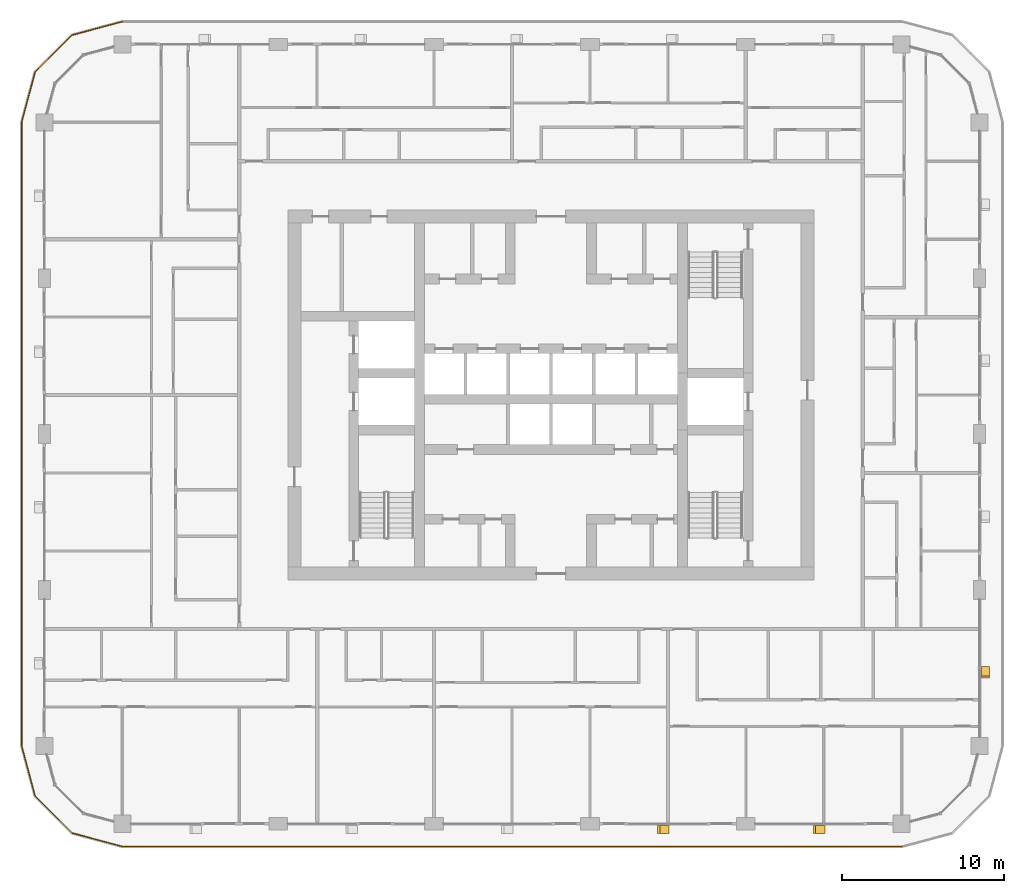
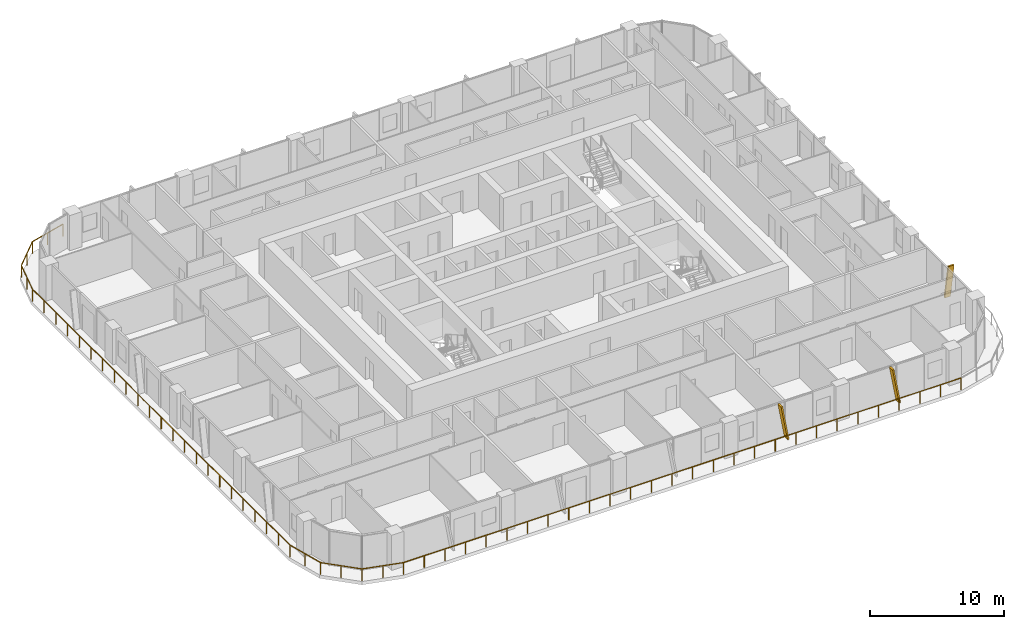
# One storey, part 19 of 22: 3 shading devices, 1 railing.
"""IFC4 building model written with IfcOpenShell, lengths in metres."""

from ifc_helpers import new_model, si_unit, direction, frame, origin, origin_2d, place, context, subcontext, project, spatial, polyline, circle, outline, extrude, material, type_object, element, save


model = new_model("IFC4")

# Units and contexts
model_context = context("Model", 3, precision=1e-05, world=origin(), true_north=direction((0.0, 1.0)))
body_context = subcontext(model_context, "Body", "Model", "MODEL_VIEW")
ifc_project = project(units=[si_unit("LENGTHUNIT", "METRE"), si_unit("AREAUNIT", "SQUARE_METRE"), si_unit("VOLUMEUNIT", "CUBIC_METRE"), si_unit("PLANEANGLEUNIT", "RADIAN"), si_unit("MASSUNIT", "GRAM", prefix="KILO")], contexts=[model_context])

# Site, building, storey
site_placement = place(None, origin())
site = spatial("IfcSite", under=ifc_project, at=site_placement, CompositionType="ELEMENT")
building_placement = place(site_placement, origin())
building = spatial("IfcBuilding", under=site, at=building_placement, Name="Madar Terraces", CompositionType="ELEMENT")
storey_placement = place(building_placement, frame((0.0, 0.0, 159.5)))
storey = spatial("IfcBuildingStorey", under=building, at=storey_placement, Name="L41", CompositionType="ELEMENT", Elevation=159.5)

# Railing
ifc_material_1 = material(Name="Glass, safety glazing, with stainless steel posts", Category="steel")
railing_type = type_object("IfcRailingType", Name="Balcony glass guard 1100", PredefinedType="GUARDRAIL", material=ifc_material_1)
railing_placement = place(storey_placement, frame((4.800048828125, 49.39990234375, 0.0)))
element("IfcRailing", 1, at=railing_placement, inside=storey, type_object=railing_type, Name="Balcony guard", PredefinedType="GUARDRAIL", context=body_context, shape_type="SweptSolid", body=[
    extrude(circle(Radius=0.02392578125, at=origin_2d()), frame((0.0, 0.0, 1.076171875), z_axis=(-0.9659337912, -0.258789317819, 0.0), x_axis=(0.258789317819, -0.9659337912, 0.0)), (0.0, 0.0, 1.0), 3.20947265625),
    extrude(circle(Radius=0.02392578125, at=origin_2d()), frame((-3.10009765625, -0.83056640625, 1.076171875), z_axis=(-0.707106781187, -0.707106781187, 0.0), x_axis=(0.707106781187, -0.707106781187, 0.0)), (0.0, 0.0, 1.0), 3.209228515625),
    extrude(circle(Radius=0.02392578125, at=origin_2d()), frame((-5.369384765625, -3.099853515625, 1.076171875), z_axis=(-0.258789317819, -0.9659337912, 0.0), x_axis=(0.9659337912, -0.258789317819, 0.0)), (0.0, 0.0, 1.0), 3.20947265625),
    extrude(circle(Radius=0.02392578125, at=origin_2d()), frame((-6.199951171875, -6.199951171875, 1.076171875), z_axis=(0.0, -1.0, 0.0), x_axis=(1.0, 0.0, 0.0)), (0.0, 0.0, 1.0), 38.39990234375),
    extrude(circle(Radius=0.02392578125, at=origin_2d()), frame((-6.199951171875, -44.599853515625, 1.076171875), z_axis=(0.258789317819, -0.9659337912, 0.0), x_axis=(0.9659337912, 0.258789317819, 0.0)), (0.0, 0.0, 1.0), 3.20947265625),
    extrude(circle(Radius=0.02392578125, at=origin_2d()), frame((-5.369384765625, -47.699951171875, 1.076171875), z_axis=(0.707106781187, -0.707106781187, 0.0), x_axis=(0.707106781187, 0.707106781187, 0.0)), (0.0, 0.0, 1.0), 3.209228515625),
    extrude(circle(Radius=0.02392578125, at=origin_2d()), frame((-3.10009765625, -49.96923828125, 1.076171875), z_axis=(0.9659337912, -0.258789317819, 0.0), x_axis=(0.258789317819, 0.9659337912, 0.0)), (0.0, 0.0, 1.0), 3.20947265625),
    extrude(circle(Radius=0.02392578125, at=origin_2d()), frame((0.0, -50.7998046875, 1.076171875), z_axis=(1.0, 0.0, 0.0), x_axis=(0.0, 1.0, 0.0)), (0.0, 0.0, 1.0), 48.0),
    extrude(circle(Radius=0.02099609375, at=origin_2d()), origin(), (0.0, 0.0, 1.0), 1.052001953125),
    extrude(circle(Radius=0.02099609375, at=origin_2d()), frame((-1.550048828125, -0.415283203125, 0.0)), (0.0, 0.0, 1.0), 1.052001953125),
    extrude(circle(Radius=0.02099609375, at=origin_2d()), frame((-3.10009765625, -0.83056640625, 0.0)), (0.0, 0.0, 1.0), 1.052001953125),
    extrude(circle(Radius=0.02099609375, at=origin_2d()), frame((-4.23486328125, -1.96533203125, 0.0)), (0.0, 0.0, 1.0), 1.052001953125),
    extrude(circle(Radius=0.02099609375, at=origin_2d()), frame((-5.369384765625, -3.099853515625, 0.0)), (0.0, 0.0, 1.0), 1.052001953125),
    extrude(circle(Radius=0.02099609375, at=origin_2d()), frame((-5.78466796875, -4.64990234375, 0.0)), (0.0, 0.0, 1.0), 1.052001953125),
    extrude(circle(Radius=0.02099609375, at=origin_2d()), frame((-6.199951171875, -6.199951171875, 0.0)), (0.0, 0.0, 1.0), 1.052001953125),
    extrude(circle(Radius=0.02099609375, at=origin_2d()), frame((-6.199951171875, -7.9453125, 0.0)), (0.0, 0.0, 1.0), 1.052001953125),
    extrude(circle(Radius=0.02099609375, at=origin_2d()), frame((-6.199951171875, -9.69091796875, 0.0)), (0.0, 0.0, 1.0), 1.052001953125),
    extrude(circle(Radius=0.02099609375, at=origin_2d()), frame((-6.199951171875, -11.436279296875, 0.0)), (0.0, 0.0, 1.0), 1.052001953125),
    extrude(circle(Radius=0.02099609375, at=origin_2d()), frame((-6.199951171875, -13.181640625, 0.0)), (0.0, 0.0, 1.0), 1.052001953125),
    extrude(circle(Radius=0.02099609375, at=origin_2d()), frame((-6.199951171875, -14.92724609375, 0.0)), (0.0, 0.0, 1.0), 1.052001953125),
    extrude(circle(Radius=0.02099609375, at=origin_2d()), frame((-6.199951171875, -16.672607421875, 0.0)), (0.0, 0.0, 1.0), 1.052001953125),
    extrude(circle(Radius=0.02099609375, at=origin_2d()), frame((-6.199951171875, -18.418212890625, 0.0)), (0.0, 0.0, 1.0), 1.052001953125),
    extrude(circle(Radius=0.02099609375, at=origin_2d()), frame((-6.199951171875, -20.16357421875, 0.0)), (0.0, 0.0, 1.0), 1.052001953125),
    extrude(circle(Radius=0.02099609375, at=origin_2d()), frame((-6.199951171875, -21.908935546875, 0.0)), (0.0, 0.0, 1.0), 1.052001953125),
    extrude(circle(Radius=0.02099609375, at=origin_2d()), frame((-6.199951171875, -23.654541015625, 0.0)), (0.0, 0.0, 1.0), 1.052001953125),
    extrude(circle(Radius=0.02099609375, at=origin_2d()), frame((-6.199951171875, -25.39990234375, 0.0)), (0.0, 0.0, 1.0), 1.052001953125),
    extrude(circle(Radius=0.02099609375, at=origin_2d()), frame((-6.199951171875, -27.145263671875, 0.0)), (0.0, 0.0, 1.0), 1.052001953125),
    extrude(circle(Radius=0.02099609375, at=origin_2d()), frame((-6.199951171875, -28.890869140625, 0.0)), (0.0, 0.0, 1.0), 1.052001953125),
    extrude(circle(Radius=0.02099609375, at=origin_2d()), frame((-6.199951171875, -30.63623046875, 0.0)), (0.0, 0.0, 1.0), 1.052001953125),
    extrude(circle(Radius=0.02099609375, at=origin_2d()), frame((-6.199951171875, -32.381591796875, 0.0)), (0.0, 0.0, 1.0), 1.052001953125),
    extrude(circle(Radius=0.02099609375, at=origin_2d()), frame((-6.199951171875, -34.127197265625, 0.0)), (0.0, 0.0, 1.0), 1.052001953125),
    extrude(circle(Radius=0.02099609375, at=origin_2d()), frame((-6.199951171875, -35.87255859375, 0.0)), (0.0, 0.0, 1.0), 1.052001953125),
    extrude(circle(Radius=0.02099609375, at=origin_2d()), frame((-6.199951171875, -37.6181640625, 0.0)), (0.0, 0.0, 1.0), 1.052001953125),
    extrude(circle(Radius=0.02099609375, at=origin_2d()), frame((-6.199951171875, -39.363525390625, 0.0)), (0.0, 0.0, 1.0), 1.052001953125),
    extrude(circle(Radius=0.02099609375, at=origin_2d()), frame((-6.199951171875, -41.10888671875, 0.0)), (0.0, 0.0, 1.0), 1.052001953125),
    extrude(circle(Radius=0.02099609375, at=origin_2d()), frame((-6.199951171875, -42.8544921875, 0.0)), (0.0, 0.0, 1.0), 1.052001953125),
    extrude(circle(Radius=0.02099609375, at=origin_2d()), frame((-6.199951171875, -44.599853515625, 0.0)), (0.0, 0.0, 1.0), 1.052001953125),
    extrude(circle(Radius=0.02099609375, at=origin_2d()), frame((-5.78466796875, -46.14990234375, 0.0)), (0.0, 0.0, 1.0), 1.052001953125),
    extrude(circle(Radius=0.02099609375, at=origin_2d()), frame((-5.369384765625, -47.699951171875, 0.0)), (0.0, 0.0, 1.0), 1.052001953125),
    extrude(circle(Radius=0.02099609375, at=origin_2d()), frame((-4.23486328125, -48.83447265625, 0.0)), (0.0, 0.0, 1.0), 1.052001953125),
    extrude(circle(Radius=0.02099609375, at=origin_2d()), frame((-3.10009765625, -49.96923828125, 0.0)), (0.0, 0.0, 1.0), 1.052001953125),
    extrude(circle(Radius=0.02099609375, at=origin_2d()), frame((-1.550048828125, -50.384521484375, 0.0)), (0.0, 0.0, 1.0), 1.052001953125),
    extrude(circle(Radius=0.02099609375, at=origin_2d()), frame((0.0, -50.7998046875, 0.0)), (0.0, 0.0, 1.0), 1.052001953125),
    extrude(circle(Radius=0.02099609375, at=origin_2d()), frame((1.77783203125, -50.7998046875, 0.0)), (0.0, 0.0, 1.0), 1.052001953125),
    extrude(circle(Radius=0.02099609375, at=origin_2d()), frame((3.5556640625, -50.7998046875, 0.0)), (0.0, 0.0, 1.0), 1.052001953125),
    extrude(circle(Radius=0.02099609375, at=origin_2d()), frame((5.333251953125, -50.7998046875, 0.0)), (0.0, 0.0, 1.0), 1.052001953125),
    extrude(circle(Radius=0.02099609375, at=origin_2d()), frame((7.111083984375, -50.7998046875, 0.0)), (0.0, 0.0, 1.0), 1.052001953125),
    extrude(circle(Radius=0.02099609375, at=origin_2d()), frame((8.888916015625, -50.7998046875, 0.0)), (0.0, 0.0, 1.0), 1.052001953125),
    extrude(circle(Radius=0.02099609375, at=origin_2d()), frame((10.666748046875, -50.7998046875, 0.0)), (0.0, 0.0, 1.0), 1.052001953125),
    extrude(circle(Radius=0.02099609375, at=origin_2d()), frame((12.4443359375, -50.7998046875, 0.0)), (0.0, 0.0, 1.0), 1.052001953125),
    extrude(circle(Radius=0.02099609375, at=origin_2d()), frame((14.22216796875, -50.7998046875, 0.0)), (0.0, 0.0, 1.0), 1.052001953125),
    extrude(circle(Radius=0.02099609375, at=origin_2d()), frame((16.0, -50.7998046875, 0.0)), (0.0, 0.0, 1.0), 1.052001953125),
    extrude(circle(Radius=0.02099609375, at=origin_2d()), frame((17.77783203125, -50.7998046875, 0.0)), (0.0, 0.0, 1.0), 1.052001953125),
    extrude(circle(Radius=0.02099609375, at=origin_2d()), frame((19.5556640625, -50.7998046875, 0.0)), (0.0, 0.0, 1.0), 1.052001953125),
    extrude(circle(Radius=0.02099609375, at=origin_2d()), frame((21.333251953125, -50.7998046875, 0.0)), (0.0, 0.0, 1.0), 1.052001953125),
    extrude(circle(Radius=0.02099609375, at=origin_2d()), frame((23.111083984375, -50.7998046875, 0.0)), (0.0, 0.0, 1.0), 1.052001953125),
    extrude(circle(Radius=0.02099609375, at=origin_2d()), frame((24.888916015625, -50.7998046875, 0.0)), (0.0, 0.0, 1.0), 1.052001953125),
    extrude(circle(Radius=0.02099609375, at=origin_2d()), frame((26.666748046875, -50.7998046875, 0.0)), (0.0, 0.0, 1.0), 1.052001953125),
    extrude(circle(Radius=0.02099609375, at=origin_2d()), frame((28.4443359375, -50.7998046875, 0.0)), (0.0, 0.0, 1.0), 1.052001953125),
    extrude(circle(Radius=0.02099609375, at=origin_2d()), frame((30.22216796875, -50.7998046875, 0.0)), (0.0, 0.0, 1.0), 1.052001953125),
    extrude(circle(Radius=0.02099609375, at=origin_2d()), frame((32.0, -50.7998046875, 0.0)), (0.0, 0.0, 1.0), 1.052001953125),
    extrude(circle(Radius=0.02099609375, at=origin_2d()), frame((33.77783203125, -50.7998046875, 0.0)), (0.0, 0.0, 1.0), 1.052001953125),
    extrude(circle(Radius=0.02099609375, at=origin_2d()), frame((35.5556640625, -50.7998046875, 0.0)), (0.0, 0.0, 1.0), 1.052001953125),
    extrude(circle(Radius=0.02099609375, at=origin_2d()), frame((37.333251953125, -50.7998046875, 0.0)), (0.0, 0.0, 1.0), 1.052001953125),
    extrude(circle(Radius=0.02099609375, at=origin_2d()), frame((39.111083984375, -50.7998046875, 0.0)), (0.0, 0.0, 1.0), 1.052001953125),
    extrude(circle(Radius=0.02099609375, at=origin_2d()), frame((40.888916015625, -50.7998046875, 0.0)), (0.0, 0.0, 1.0), 1.052001953125),
    extrude(circle(Radius=0.02099609375, at=origin_2d()), frame((42.666748046875, -50.7998046875, 0.0)), (0.0, 0.0, 1.0), 1.052001953125),
    extrude(circle(Radius=0.02099609375, at=origin_2d()), frame((44.4443359375, -50.7998046875, 0.0)), (0.0, 0.0, 1.0), 1.052001953125),
    extrude(circle(Radius=0.02099609375, at=origin_2d()), frame((46.22216796875, -50.7998046875, 0.0)), (0.0, 0.0, 1.0), 1.052001953125),
    extrude(circle(Radius=0.02099609375, at=origin_2d()), frame((48.0, -50.7998046875, 0.0)), (0.0, 0.0, 1.0), 1.052001953125),
])

# Shading devices
ifc_material_2 = material(Name="Aluminium, black anodised", Category="aluminium")
shading_device_type = type_object("IfcShadingDeviceType", Name="Facade fin blade 140 x 500", PredefinedType="USERDEFINED", material=ifc_material_2)
shading_device_1_placement = place(storey_placement, frame((38.330078125, -0.35009765625, 0.0), z_axis=(0.0, 0.0, 1.0), x_axis=(1.0, 0.0, 0.0)))
element("IfcShadingDevice", 2, at=shading_device_1_placement, inside=storey, type_object=shading_device_type, Name="FIN L41 S4", ObjectType="FIN", PredefinedType="USERDEFINED", context=body_context, shape_type="SweptSolid", body=[
    extrude(outline(polyline([(0.0, 0.0), (0.139892578125, 0.0), (-0.42431640625, 3.199951171875), (-0.564208984375, 3.199951171875), (0.0, 0.0)])), frame((0.0, 0.25, 0.0), z_axis=(0.0, -1.0, 0.0), x_axis=(1.0, 0.0, 0.0)), (0.0, 0.0, 1.0), 0.5),
])
shading_device_2_placement = place(storey_placement, frame((47.929931640625, -0.35009765625, 0.0), z_axis=(0.0, 0.0, 1.0), x_axis=(1.0, 0.0, 0.0)))
element("IfcShadingDevice", 3, at=shading_device_2_placement, inside=storey, type_object=shading_device_type, Name="FIN L41 S5", ObjectType="FIN", PredefinedType="USERDEFINED", context=body_context, shape_type="SweptSolid", body=[
    extrude(outline(polyline([(0.0, 0.0), (0.14013671875, 0.0), (-0.42431640625, 3.199951171875), (-0.564208984375, 3.199951171875), (0.0, 0.0)])), frame((0.0, 0.25, 0.0), z_axis=(0.0, -1.0, 0.0), x_axis=(1.0, 0.0, 0.0)), (0.0, 0.0, 1.0), 0.5),
])
shading_device_3_placement = place(storey_placement, frame((57.949951171875, 9.530029296875, 0.0), z_axis=(0.0, 0.0, 1.0), x_axis=(0.0, 1.0, 0.0)))
element("IfcShadingDevice", 4, at=shading_device_3_placement, inside=storey, type_object=shading_device_type, Name="FIN L41 E1", ObjectType="FIN", PredefinedType="USERDEFINED", context=body_context, shape_type="SweptSolid", body=[
    extrude(outline(polyline([(0.0, 0.0), (0.139892578125, 0.0), (-0.42431640625, 3.199951171875), (-0.564208984375, 3.199951171875), (0.0, 0.0)])), frame((0.0, 0.25, 0.0), z_axis=(0.0, -1.0, 0.0), x_axis=(1.0, 0.0, 0.0)), (0.0, 0.0, 1.0), 0.5),
])

save(model, "model.ifc")
